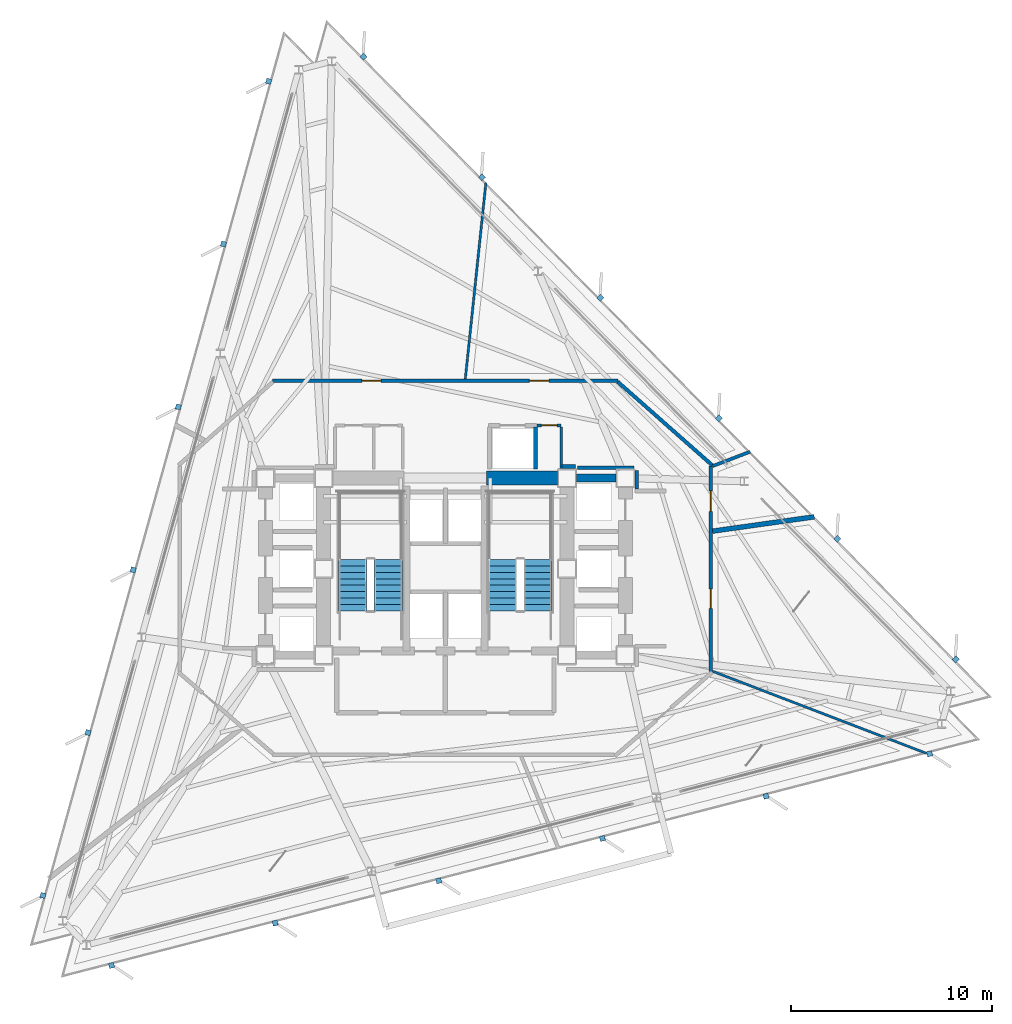
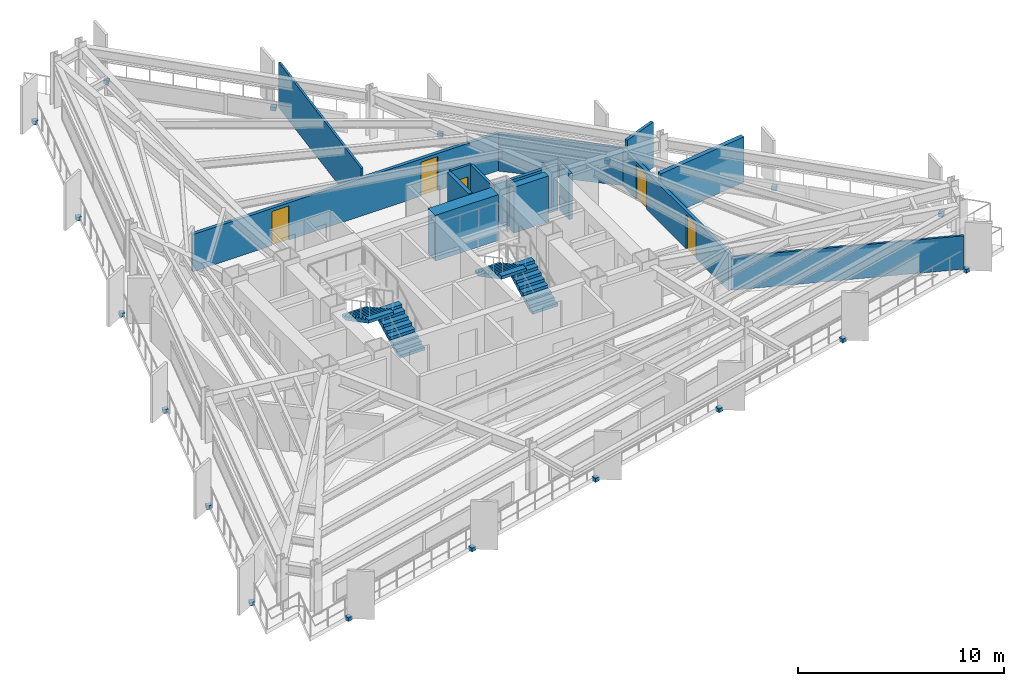
# One storey, part 8 of 11: 18 discrete accessories, 15 walls, 5 doors, 4 stair flights, 5 openings, 2 elements without a shape of their own.
"""IFC4 building model written with IfcOpenShell, lengths in metres."""

from ifc_helpers import new_model, si_unit, direction, frame, frame_2d, origin, origin_2d, place, context, subcontext, project, spatial, polyline, rectangle, outline, extrude, material, layer, layer_set, type_object, element, fill, aggregate, save


model = new_model("IFC4")

# Units and contexts
model_context = context("Model", 3, precision=1e-05, world=origin(), true_north=direction((0.0, 1.0)))
body_context = subcontext(model_context, "Body", "Model", "MODEL_VIEW")
ifc_project = project(units=[si_unit("LENGTHUNIT", "METRE"), si_unit("AREAUNIT", "SQUARE_METRE"), si_unit("VOLUMEUNIT", "CUBIC_METRE"), si_unit("PLANEANGLEUNIT", "RADIAN"), si_unit("MASSUNIT", "GRAM", prefix="KILO")], contexts=[model_context])

# Site, building, storey
site_placement = place(None, origin())
site = spatial("IfcSite", under=ifc_project, at=site_placement, CompositionType="ELEMENT")
building_placement = place(site_placement, origin())
building = spatial("IfcBuilding", under=site, at=building_placement, Name="Rocaltana Carrier Exchange", CompositionType="ELEMENT")
storey_placement = place(building_placement, frame((0.0, 0.0, 97.760009765625)))
storey = spatial("IfcBuildingStorey", under=building, at=storey_placement, Name="L30", CompositionType="ELEMENT", Elevation=97.760009765625)

# Walls
ifc_material_1 = material(Name="Double Acoustic Gypsum Partition", Category="gypsum")
ifc_layer_1 = layer(ifc_material_1, 0.159912109375)
ifc_layer_set_1 = layer_set([ifc_layer_1], Name="Double Acoustic Gypsum Partition")
wall_type_1 = type_object("IfcWallType", Name="Acoustic Studio Partition 160 EI60", PredefinedType="PARTITIONING", material=ifc_layer_set_1)
wall_1_placement = place(storey_placement, frame((13.280029296875, 5.09765625, 0.0), z_axis=(0.0, 0.0, 1.0), x_axis=(0.933586794089, 0.358351360962, 0.0)))
element("IfcWall", 1, at=wall_1_placement, inside=storey, type_object=wall_type_1, Name="L30 Suite Divider Wall D5", PredefinedType="PARTITIONING", context=body_context, shape_type="SweptSolid", body=[
    extrude(rectangle(XDim=2.007080078125, YDim=0.159912109375, at=frame_2d((1.00341796875, 0.0))), origin(), (0.0, 0.0, 1.0), 2.69287109375),
])
ifc_material_2 = material(Name="Concrete C50/60", Category="concrete")
ifc_layer_2 = layer(ifc_material_2, 0.39990234375)
ifc_layer_set_2 = layer_set([ifc_layer_2], Name="Concrete C50/60")
wall_type_2 = type_object("IfcWallType", Name="Core Internal Shear Wall 400", PredefinedType="SHEAR", material=ifc_layer_set_2)
wall_2_placement = place(storey_placement, frame((6.52490234375, 4.5, 0.0), z_axis=(0.0, 0.0, 1.0), x_axis=(1.0, 0.0, 0.0)))
element("IfcWall", 2, at=wall_2_placement, inside=storey, type_object=wall_type_2, Name="L30 Core Shear Wall CW-EWN", PredefinedType="SHEAR", context=body_context, shape_type="SweptSolid", body=[
    extrude(rectangle(XDim=1.9501953125, YDim=0.39990234375, at=frame_2d((0.97509765625, 0.0))), origin(), (0.0, 0.0, 1.0), 2.718017578125),
])
ifc_material_3 = material(Name="Concrete C60/75", Category="concrete")
ifc_layer_3 = layer(ifc_material_3, 0.699951171875)
ifc_layer_set_3 = layer_set([ifc_layer_3], Name="Concrete C60/75")
wall_type_3 = type_object("IfcWallType", Name="Core Shear Wall 700", PredefinedType="SHEAR", material=ifc_layer_set_3)
wall_3_placement = place(storey_placement, frame((2.050048828125, 4.5, 0.0), z_axis=(0.0, 0.0, 1.0), x_axis=(1.0, 0.0, 0.0)))
element("IfcWall", 3, at=wall_3_placement, inside=storey, type_object=wall_type_3, Name="L30 Core Shear Wall CW-N2", PredefinedType="SHEAR", context=body_context, shape_type="SweptSolid", body=[
    extrude(rectangle(XDim=3.52490234375, YDim=0.699951171875, at=frame_2d((1.762451171875, 0.0))), origin(), (0.0, 0.0, 1.0), 2.718017578125),
])

# Wall, openings, doors
ifc_material_4 = material(Name="Gypsum & Steel Stud Partition", Category="steel")
ifc_layer_4 = layer(ifc_material_4, 0.179931640625)
ifc_layer_set_4 = layer_set([ifc_layer_4], Name="Gypsum & Steel Stud Partition")
wall_type_4 = type_object("IfcWallType", Name="Corridor Fire Partition 180 EI60", PredefinedType="PARTITIONING", material=ifc_layer_set_4)
wall_4_placement = place(storey_placement, frame((-8.590087890625, 9.35009765625, 0.0), z_axis=(0.0, 0.0, 1.0), x_axis=(1.0, 0.0, 0.0)))
wall_4 = element("IfcWall", 4, at=wall_4_placement, inside=storey, type_object=wall_type_4, Name="L30 Corridor Partition 1", PredefinedType="PARTITIONING", context=body_context, shape_type="SweptSolid", body=[
    extrude(rectangle(XDim=17.18017578125, YDim=0.179931640625, at=frame_2d((8.590087890625, 0.0))), origin(), (0.0, 0.0, 1.0), 2.20703125),
])
opening_1_placement = place(wall_4_placement, frame((12.7705078125, 0.0, 0.0)))
opening_1 = element("IfcOpeningElement", 5, at=opening_1_placement, cuts=wall_4, Name="Opening D-RM098", PredefinedType="OPENING", context=body_context, shape_type="SweptSolid", body=[
    extrude(rectangle(XDim=0.9599609375, YDim=2.02001953125, at=frame_2d((0.47998046875, 1.010009765625))), frame((0.0, 0.099853515625, 0.0), z_axis=(0.0, -1.0, 0.0), x_axis=(1.0, 0.0, 0.0)), (0.0, 0.0, 1.0), 0.199951171875),
])
opening_2_placement = place(wall_4_placement, frame((4.4404296875, 0.0, 0.0)))
opening_2 = element("IfcOpeningElement", 6, at=opening_2_placement, cuts=wall_4, Name="Opening D-RM098", PredefinedType="OPENING", context=body_context, shape_type="SweptSolid", body=[
    extrude(rectangle(XDim=0.9599609375, YDim=2.02001953125, at=frame_2d((0.47998046875, 1.010009765625))), frame((0.0, 0.099853515625, 0.0), z_axis=(0.0, -1.0, 0.0), x_axis=(1.0, 0.0, 0.0)), (0.0, 0.0, 1.0), 0.199951171875),
])
ifc_material_5 = material(Name="Engineered Hardwood Timber", Category="wood")
door_type_1 = type_object("IfcDoorType", Name="Workspace Single Door 960x2020", OperationType="NOTDEFINED", PredefinedType="DOOR", material=ifc_material_5)
door_1_placement = place(opening_1_placement, origin())
door_1 = element("IfcDoor", 7, at=door_1_placement, inside=storey, type_object=door_type_1, Name="L30 Network Engineering Studio Entrance Door", OperationType="SINGLE_SWING_LEFT", OverallHeight=2.02001953125, OverallWidth=0.9599609375, PredefinedType="DOOR", context=body_context, shape_type="SweptSolid", body=[
    extrude(rectangle(XDim=0.9599609375, YDim=2.02001953125, at=frame_2d((0.47998046875, 1.010009765625))), frame((0.0, 0.02490234375, 0.0), z_axis=(0.0, -1.0, 0.0), x_axis=(1.0, 0.0, 0.0)), (0.0, 0.0, 1.0), 0.050048828125),
])
fill(opening_1, door_1)
door_2_placement = place(opening_2_placement, origin())
door_2 = element("IfcDoor", 8, at=door_2_placement, inside=storey, type_object=door_type_1, Name="L30 Quiet Focus Lounge Entrance Door", OperationType="SINGLE_SWING_RIGHT", OverallHeight=2.02001953125, OverallWidth=0.9599609375, PredefinedType="DOOR", context=body_context, shape_type="SweptSolid", body=[
    extrude(rectangle(XDim=0.9599609375, YDim=2.02001953125, at=frame_2d((0.47998046875, 1.010009765625))), frame((0.0, 0.02490234375, 0.0), z_axis=(0.0, -1.0, 0.0), x_axis=(1.0, 0.0, 0.0)), (0.0, 0.0, 1.0), 0.050048828125),
])
fill(opening_2, door_2)

# Wall
wall_5_placement = place(storey_placement, frame((8.5673828125, 9.290283203125, 0.0), z_axis=(0.0, 0.0, 1.0), x_axis=(0.749626463267, -0.66186113768, 0.0)))
element("IfcWall", 9, at=wall_5_placement, inside=storey, type_object=wall_type_4, Name="L30 Corridor Partition 2", PredefinedType="PARTITIONING", context=body_context, shape_type="SweptSolid", body=[
    extrude(rectangle(XDim=6.27001953125, YDim=0.179931640625, at=frame_2d((3.135009765625, 0.0))), origin(), (0.0, 0.0, 1.0), 2.20703125),
])

# Wall, openings, doors
wall_6_placement = place(storey_placement, frame((13.199951171875, 5.110107421875, 0.0), z_axis=(0.0, 0.0, 1.0), x_axis=(0.0, -1.0, 0.0)))
wall_6 = element("IfcWall", 10, at=wall_6_placement, inside=storey, type_object=wall_type_4, Name="L30 Corridor Partition 3", PredefinedType="PARTITIONING", context=body_context, shape_type="SweptSolid", body=[
    extrude(rectangle(XDim=10.22021484375, YDim=0.179931640625, at=frame_2d((5.110107421875, 0.0))), origin(), (0.0, 0.0, 1.0), 2.20703125),
])
opening_3_placement = place(wall_6_placement, frame((6.121826171875, 0.0, 0.0)))
opening_3 = element("IfcOpeningElement", 11, at=opening_3_placement, cuts=wall_6, Name="Opening D-RM098", PredefinedType="OPENING", context=body_context, shape_type="SweptSolid", body=[
    extrude(rectangle(XDim=0.9599609375, YDim=2.02001953125, at=frame_2d((0.47998046875, 1.010009765625))), frame((0.0, 0.099853515625, 0.0), z_axis=(0.0, -1.0, 0.0), x_axis=(1.0, 0.0, 0.0)), (0.0, 0.0, 1.0), 0.199951171875),
])
opening_4_placement = place(wall_6_placement, frame((1.24169921875, 0.0, 0.0)))
opening_4 = element("IfcOpeningElement", 12, at=opening_4_placement, cuts=wall_6, Name="Opening D-LB104", PredefinedType="OPENING", context=body_context, shape_type="SweptSolid", body=[
    extrude(rectangle(XDim=1.02001953125, YDim=2.02001953125, at=frame_2d((0.510009765625, 1.010009765625))), frame((0.0, 0.099853515625, 0.0), z_axis=(0.0, -1.0, 0.0), x_axis=(1.0, 0.0, 0.0)), (0.0, 0.0, 1.0), 0.199951171875),
])
ifc_material_6 = material(Name="Powder-Coated Aluminium 6063-T6", Category="aluminium")
door_type_2 = type_object("IfcDoorType", Name="Laboratory Acoustic Door 1020x2020", OperationType="NOTDEFINED", PredefinedType="DOOR", material=ifc_material_6)
door_3_placement = place(opening_4_placement, origin())
door_3 = element("IfcDoor", 13, at=door_3_placement, inside=storey, type_object=door_type_2, Name="L30 Protocol Calibration Laboratory Entrance Door", OperationType="SINGLE_SWING_RIGHT", OverallHeight=2.02001953125, OverallWidth=1.02001953125, PredefinedType="DOOR", context=body_context, shape_type="SweptSolid", body=[
    extrude(rectangle(XDim=1.02001953125, YDim=2.02001953125, at=frame_2d((0.510009765625, 1.010009765625))), frame((0.0, 0.02490234375, 0.0), z_axis=(0.0, -1.0, 0.0), x_axis=(1.0, 0.0, 0.0)), (0.0, 0.0, 1.0), 0.050048828125),
])
fill(opening_4, door_3)
door_4_placement = place(opening_3_placement, origin())
door_4 = element("IfcDoor", 14, at=door_4_placement, inside=storey, type_object=door_type_1, Name="L30 Peering Conference Room Entrance Door", OperationType="SINGLE_SWING_LEFT", OverallHeight=2.02001953125, OverallWidth=0.9599609375, PredefinedType="DOOR", context=body_context, shape_type="SweptSolid", body=[
    extrude(rectangle(XDim=0.9599609375, YDim=2.02001953125, at=frame_2d((0.47998046875, 1.010009765625))), frame((0.0, 0.02490234375, 0.0), z_axis=(0.0, -1.0, 0.0), x_axis=(1.0, 0.0, 0.0)), (0.0, 0.0, 1.0), 0.050048828125),
])
fill(opening_3, door_4)

# Walls
wall_7_placement = place(storey_placement, frame((9.510009765625, 3.949951171875, 0.0), z_axis=(0.0, 0.0, 1.0), x_axis=(0.0, 1.0, 0.0)))
element("IfcWall", 15, at=wall_7_placement, inside=storey, type_object=wall_type_4, Name="L30 Corridor Partition 20", PredefinedType="PARTITIONING", context=body_context, shape_type="SweptSolid", body=[
    extrude(rectangle(XDim=0.920166015625, YDim=0.179931640625, at=frame_2d((0.4599609375, 0.0))), origin(), (0.0, 0.0, 1.0), 2.69287109375),
])
wall_8_placement = place(storey_placement, frame((9.3701171875, 5.010009765625, 0.0), z_axis=(0.0, 0.0, 1.0), x_axis=(-1.0, 0.0, 0.0)))
element("IfcWall", 16, at=wall_8_placement, inside=storey, type_object=wall_type_4, Name="L30 Corridor Partition 21", PredefinedType="PARTITIONING", context=body_context, shape_type="SweptSolid", body=[
    extrude(rectangle(XDim=2.807861328125, YDim=0.179931640625, at=frame_2d((1.40380859375, 0.0))), origin(), (0.0, 0.0, 1.0), 2.69287109375),
])
wall_9_placement = place(storey_placement, frame((6.469970703125, 5.080078125, 0.0), z_axis=(0.0, 0.0, 1.0), x_axis=(-1.0, 0.0, 0.0)))
element("IfcWall", 17, at=wall_9_placement, inside=storey, type_object=wall_type_4, Name="L30 Corridor Partition 22", PredefinedType="PARTITIONING", context=body_context, shape_type="SweptSolid", body=[
    extrude(rectangle(XDim=0.679931640625, YDim=0.179931640625, at=frame_2d((0.33984375, 0.0))), origin(), (0.0, 0.0, 1.0), 2.69287109375),
])
ifc_material_7 = material(Name="Aluminium 6063-T6 & Acoustic Glass", Category="aluminium")
ifc_layer_5 = layer(ifc_material_7, 0.114990234375)
ifc_layer_set_5 = layer_set([ifc_layer_5], Name="Aluminium 6063-T6 & Acoustic Glass")
wall_type_5 = type_object("IfcWallType", Name="Demountable Glazed Lab Partition 115", PredefinedType="MOVABLE", material=ifc_layer_set_5)
wall_10_placement = place(storey_placement, frame((13.280029296875, -5.09765625, 0.0), z_axis=(0.0, 0.0, 1.0), x_axis=(0.933579254187, -0.358371003504, 0.0)))
element("IfcWall", 18, at=wall_10_placement, inside=storey, type_object=wall_type_5, Name="L30 Suite Divider Wall D3", PredefinedType="MOVABLE", context=body_context, shape_type="SweptSolid", body=[
    extrude(rectangle(XDim=11.408935546875, YDim=0.114990234375, at=frame_2d((5.70458984375, 0.0))), origin(), (0.0, 0.0, 1.0), 1.97802734375),
])
wall_11_placement = place(storey_placement, frame((0.9912109375, 9.429931640625, 0.0), z_axis=(0.0, 0.0, 1.0), x_axis=(0.10452931889, 0.994521805438, 0.0)))
element("IfcWall", 19, at=wall_11_placement, inside=storey, type_object=wall_type_5, Name="L30 Suite Divider Wall D6", PredefinedType="MOVABLE", context=body_context, shape_type="SweptSolid", body=[
    extrude(rectangle(XDim=9.8095703125, YDim=0.114990234375, at=frame_2d((4.90478515625, 0.0))), origin(), (0.0, 0.0, 1.0), 2.69287109375),
])
ifc_material_8 = material(Name="Acoustic Calcium Silicate Partition", Category="gypsum")
ifc_layer_6 = layer(ifc_material_8, 0.239990234375)
ifc_layer_set_6 = layer_set([ifc_layer_6], Name="Acoustic Calcium Silicate Partition")
wall_type_6 = type_object("IfcWallType", Name="Heavy Lab Partition 240 EI90", PredefinedType="PARTITIONING", material=ifc_layer_set_6)
wall_12_placement = place(storey_placement, frame((13.280029296875, 1.866455078125, 0.0), z_axis=(0.0, 0.0, 1.0), x_axis=(0.990270993163, 0.139152291036, 0.0)))
element("IfcWall", 20, at=wall_12_placement, inside=storey, type_object=wall_type_6, Name="L30 Suite Divider Wall D4", PredefinedType="PARTITIONING", context=body_context, shape_type="SweptSolid", body=[
    extrude(rectangle(XDim=5.107421875, YDim=0.239990234375, at=frame_2d((2.5537109375, 0.0))), origin(), (0.0, 0.0, 1.0), 2.69287109375),
])
ifc_material_9 = material(Name="Reinforced Concrete Block C35/45", Category="concrete")
ifc_layer_7 = layer(ifc_material_9, 0.199951171875)
ifc_layer_set_7 = layer_set([ifc_layer_7], Name="Reinforced Concrete Block C35/45")
wall_type_7 = type_object("IfcWallType", Name="Lift Hoistway Enclosure Wall 200 EI120", PredefinedType="PARTITIONING", material=ifc_layer_set_7)
wall_13_placement = place(storey_placement, frame((4.47998046875, 4.949951171875, 0.0), z_axis=(0.0, 0.0, 1.0), x_axis=(0.0, 1.0, 0.0)))
element("IfcWall", 21, at=wall_13_placement, inside=storey, type_object=wall_type_7, Name="L30 Goods Lift East Wall", PredefinedType="PARTITIONING", context=body_context, shape_type="SweptSolid", body=[
    extrude(rectangle(XDim=2.10009765625, YDim=0.199951171875, at=frame_2d((1.050048828125, 0.0))), origin(), (0.0, 0.0, 1.0), 2.69287109375),
])
ifc_material_10 = material(Name="Moisture-Resistant Masonry C30/37", Category="masonry")
ifc_layer_8 = layer(ifc_material_10, 0.139892578125)
ifc_layer_set_8 = layer_set([ifc_layer_8], Name="Moisture-Resistant Masonry C30/37")
wall_type_8 = type_object("IfcWallType", Name="Wet-Area Sanitary Partition 140", PredefinedType="PARTITIONING", material=ifc_layer_set_8)
wall_14_placement = place(storey_placement, frame((5.760009765625, 4.949951171875, 0.0), z_axis=(0.0, 0.0, 1.0), x_axis=(0.0, 1.0, 0.0)))
element("IfcWall", 22, at=wall_14_placement, inside=storey, type_object=wall_type_8, Name="L30 Riser East Wall", PredefinedType="PARTITIONING", context=body_context, shape_type="SweptSolid", body=[
    extrude(rectangle(XDim=2.10009765625, YDim=0.139892578125, at=frame_2d((1.050048828125, 0.0))), origin(), (0.0, 0.0, 1.0), 2.69287109375),
])

# Wall, opening, door
wall_15_placement = place(storey_placement, frame((4.56005859375, 7.1201171875, 0.0), z_axis=(0.0, 0.0, 1.0), x_axis=(1.0, 0.0, 0.0)))
wall_15 = element("IfcWall", 23, at=wall_15_placement, inside=storey, type_object=wall_type_8, Name="L30 Riser North Wall", PredefinedType="PARTITIONING", context=body_context, shape_type="SweptSolid", body=[
    extrude(rectangle(XDim=1.199951171875, YDim=0.139892578125, at=frame_2d((0.60009765625, 0.0))), origin(), (0.0, 0.0, 1.0), 2.69287109375),
])
opening_5_placement = place(wall_15_placement, frame((0.2099609375, 0.0, 0.0)))
opening_5 = element("IfcOpeningElement", 24, at=opening_5_placement, cuts=wall_15, Name="Opening D-RS082", PredefinedType="OPENING", context=body_context, shape_type="SweptSolid", body=[
    extrude(rectangle(XDim=0.780029296875, YDim=2.010009765625, at=frame_2d((0.39013671875, 1.0048828125))), frame((0.0, 0.079833984375, 0.0), z_axis=(0.0, -1.0, 0.0), x_axis=(1.0, 0.0, 0.0)), (0.0, 0.0, 1.0), 0.159912109375),
])
ifc_material_11 = material(Name="Hollow Metal Access Door Leaf", Category="steel")
door_type_3 = type_object("IfcDoorType", Name="Riser & Service Closet Door 780x2010", OperationType="NOTDEFINED", PredefinedType="DOOR", material=ifc_material_11)
door_5_placement = place(opening_5_placement, origin())
door_5 = element("IfcDoor", 25, at=door_5_placement, inside=storey, type_object=door_type_3, Name="L30 Fibre Riser Closet Door", OperationType="SINGLE_SWING_LEFT", OverallHeight=2.010009765625, OverallWidth=0.780029296875, PredefinedType="DOOR", context=body_context, shape_type="SweptSolid", body=[
    extrude(rectangle(XDim=0.780029296875, YDim=2.010009765625, at=frame_2d((0.39013671875, 1.0048828125))), frame((0.0, 0.02490234375, 0.0), z_axis=(0.0, -1.0, 0.0), x_axis=(1.0, 0.0, 0.0)), (0.0, 0.0, 1.0), 0.050048828125),
])
fill(opening_5, door_5)

# Stair, stair flights
ifc_material_12 = material(Name="Precast concrete C45/55", Category="concrete")
stair_type = type_object("IfcStairType", Name="Standard Dog-Leg Stair 160", PredefinedType="HALF_TURN_STAIR", material=ifc_material_12)
stair_1_placement = place(storey_placement, origin())
stair_1 = element("IfcStair", 26, at=stair_1_placement, inside=storey, type_object=stair_type, Name="L30 Core West Exit Stair ST-1", PredefinedType="HALF_TURN_STAIR")
ifc_material_13 = material(Name="Precast concrete C45/55", Category="concrete")
stair_flight_type = type_object("IfcStairFlightType", Name="Precast Stair Flight 160", PredefinedType="STRAIGHT", material=ifc_material_13)
stair_flight_1_placement = place(storey_placement, frame((-2.840087890625, -2.10009765625, 0.0), z_axis=(0.0, 0.0, 1.0), x_axis=(0.0, 1.0, 0.0)))
stair_flight_1 = element("IfcStairFlight", 27, at=stair_flight_1_placement, type_object=stair_flight_type, Name="ST-1 flight 1", NumberOfRisers=9, NumberOfTreads=8, PredefinedType="STRAIGHT", RiserHeight=0.168888889, TreadLength=0.32, context=body_context, shape_type="SweptSolid", body=[
    extrude(outline(polyline([(0.0, 0.0), (0.0, 0.1689453125), (0.320068359375, 0.1689453125), (0.320068359375, 0.337890625), (0.639892578125, 0.337890625), (0.639892578125, 0.506591796875), (0.9599609375, 0.506591796875), (0.9599609375, 0.675537109375), (1.280029296875, 0.675537109375), (1.280029296875, 0.844482421875), (1.60009765625, 0.844482421875), (1.60009765625, 1.013427734375), (1.919921875, 1.013427734375), (1.919921875, 1.18212890625), (2.239990234375, 1.18212890625), (2.239990234375, 1.35107421875), (2.56005859375, 1.35107421875), (2.56005859375, 1.52001953125), (2.56005859375, 1.17041015625), (0.342529296875, 0.0), (0.0, 0.0)])), frame((0.0, 0.699951171875, 0.0), z_axis=(0.0, -1.0, 0.0), x_axis=(1.0, 0.0, 0.0)), (0.0, 0.0, 1.0), 1.39990234375),
])
stair_flight_2_placement = place(storey_placement, frame((-4.60009765625, 0.4599609375, 1.52001953125), z_axis=(0.0, 0.0, 1.0), x_axis=(0.0, -1.0, 0.0)))
stair_flight_2 = element("IfcStairFlight", 28, at=stair_flight_2_placement, type_object=stair_flight_type, Name="ST-1 flight 2", NumberOfRisers=9, NumberOfTreads=8, PredefinedType="STRAIGHT", RiserHeight=0.168888889, TreadLength=0.32, context=body_context, shape_type="SweptSolid", body=[
    extrude(outline(polyline([(0.0, 0.0), (0.0, 0.1689453125), (0.320068359375, 0.1689453125), (0.320068359375, 0.337890625), (0.639892578125, 0.337890625), (0.639892578125, 0.506591796875), (0.9599609375, 0.506591796875), (0.9599609375, 0.675537109375), (1.280029296875, 0.675537109375), (1.280029296875, 0.844482421875), (1.60009765625, 0.844482421875), (1.60009765625, 1.013427734375), (1.919921875, 1.013427734375), (1.919921875, 1.18212890625), (2.239990234375, 1.18212890625), (2.239990234375, 1.35107421875), (2.56005859375, 1.35107421875), (2.56005859375, 1.52001953125), (2.56005859375, 1.17041015625), (0.342529296875, 0.0), (0.0, 0.0)])), frame((0.0, 0.699951171875, 0.0), z_axis=(0.0, -1.0, 0.0), x_axis=(1.0, 0.0, 0.0)), (0.0, 0.0, 1.0), 1.39990234375),
])
aggregate(stair_1, [stair_flight_1, stair_flight_2])

stair_2_placement = place(storey_placement, origin())
stair_2 = element("IfcStair", 29, at=stair_2_placement, inside=storey, type_object=stair_type, Name="L30 Core East Exit Stair ST-2", PredefinedType="HALF_TURN_STAIR")
stair_flight_3_placement = place(storey_placement, frame((4.60009765625, -2.10009765625, 0.0), z_axis=(0.0, 0.0, 1.0), x_axis=(0.0, 1.0, 0.0)))
stair_flight_3 = element("IfcStairFlight", 30, at=stair_flight_3_placement, type_object=stair_flight_type, Name="ST-2 flight 1", NumberOfRisers=9, NumberOfTreads=8, PredefinedType="STRAIGHT", RiserHeight=0.168888889, TreadLength=0.32, context=body_context, shape_type="SweptSolid", body=[
    extrude(outline(polyline([(0.0, 0.0), (0.0, 0.1689453125), (0.320068359375, 0.1689453125), (0.320068359375, 0.337890625), (0.639892578125, 0.337890625), (0.639892578125, 0.506591796875), (0.9599609375, 0.506591796875), (0.9599609375, 0.675537109375), (1.280029296875, 0.675537109375), (1.280029296875, 0.844482421875), (1.60009765625, 0.844482421875), (1.60009765625, 1.013427734375), (1.919921875, 1.013427734375), (1.919921875, 1.18212890625), (2.239990234375, 1.18212890625), (2.239990234375, 1.35107421875), (2.56005859375, 1.35107421875), (2.56005859375, 1.52001953125), (2.56005859375, 1.17041015625), (0.342529296875, 0.0), (0.0, 0.0)])), frame((0.0, 0.699951171875, 0.0), z_axis=(0.0, -1.0, 0.0), x_axis=(1.0, 0.0, 0.0)), (0.0, 0.0, 1.0), 1.39990234375),
])
stair_flight_4_placement = place(storey_placement, frame((2.840087890625, 0.4599609375, 1.52001953125), z_axis=(0.0, 0.0, 1.0), x_axis=(0.0, -1.0, 0.0)))
stair_flight_4 = element("IfcStairFlight", 31, at=stair_flight_4_placement, type_object=stair_flight_type, Name="ST-2 flight 2", NumberOfRisers=9, NumberOfTreads=8, PredefinedType="STRAIGHT", RiserHeight=0.168888889, TreadLength=0.32, context=body_context, shape_type="SweptSolid", body=[
    extrude(outline(polyline([(0.0, 0.0), (0.0, 0.1689453125), (0.320068359375, 0.1689453125), (0.320068359375, 0.337890625), (0.639892578125, 0.337890625), (0.639892578125, 0.506591796875), (0.9599609375, 0.506591796875), (0.9599609375, 0.675537109375), (1.280029296875, 0.675537109375), (1.280029296875, 0.844482421875), (1.60009765625, 0.844482421875), (1.60009765625, 1.013427734375), (1.919921875, 1.013427734375), (1.919921875, 1.18212890625), (2.239990234375, 1.18212890625), (2.239990234375, 1.35107421875), (2.56005859375, 1.35107421875), (2.56005859375, 1.52001953125), (2.56005859375, 1.17041015625), (0.342529296875, 0.0), (0.0, 0.0)])), frame((0.0, 0.699951171875, 0.0), z_axis=(0.0, -1.0, 0.0), x_axis=(1.0, 0.0, 0.0)), (0.0, 0.0, 1.0), 1.39990234375),
])
aggregate(stair_2, [stair_flight_3, stair_flight_4])

# Discrete accessories
ifc_material_14 = material(Name="Brushed Architectural Stainless Metal", Category="steel")
ifc_layer_9 = layer(ifc_material_14, 0.219970703125)
ifc_layer_set_9 = layer_set([ifc_layer_9], Name="Brushed Architectural Stainless Metal")
discrete_accessory_type = type_object("IfcDiscreteAccessoryType", Name="Stainless Fin Slab-Edge Bracket 260x260x220", PredefinedType="BRACKET", material=ifc_layer_set_9)
for number, where, z_axis, x_axis, name in (
    (32, (25.371826171875, -4.509765625, -0.2099609375), (0.0, 0.0, 1.0), (-0.7009092643, 0.713250449154, 0.0), "L30 Sandstone Fin Edge Bracket F1-01"),
    (33, (19.484375, 1.481689453125, -0.2099609375), (0.0, 0.0, 1.0), (-0.7009092643, 0.713250449154, 0.0), "L30 Sandstone Fin Edge Bracket F1-02"),
    (34, (13.5966796875, 7.472900390625, -0.2099609375), (0.0, 0.0, 1.0), (-0.7009092643, 0.713250449154, 0.0), "L30 Sandstone Fin Edge Bracket F1-03"),
    (35, (7.708984375, 13.464111328125, -0.2099609375), (0.0, 0.0, 1.0), (-0.7009092643, 0.713250449154, 0.0), "L30 Sandstone Fin Edge Bracket F1-04"),
    (36, (1.8212890625, 19.45556640625, -0.2099609375), (0.0, 0.0, 1.0), (-0.7009092643, 0.713250449154, 0.0), "L30 Sandstone Fin Edge Bracket F1-05"),
    (37, (-4.066162109375, 25.44677734375, -0.2099609375), (0.0, 0.0, 1.0), (-0.7009092643, 0.713250449154, 0.0), "L30 Sandstone Fin Edge Bracket F1-06"),
    (38, (-8.780517578125, 24.2275390625, -0.2099609375), (0.0, 0.0, 1.0), (-0.267238376078, -0.963630453209, 0.0), "L30 Sandstone Fin Edge Bracket F2-01"),
    (39, (-11.025146484375, 16.133056640625, -0.2099609375), (0.0, 0.0, 1.0), (-0.267238376078, -0.963630453209, 0.0), "L30 Sandstone Fin Edge Bracket F2-02"),
    (40, (-13.27001953125, 8.03857421875, -0.2099609375), (0.0, 0.0, 1.0), (-0.267238376078, -0.963630453209, 0.0), "L30 Sandstone Fin Edge Bracket F2-03"),
    (41, (-15.514892578125, -0.055908203125, -0.2099609375), (0.0, 0.0, 1.0), (-0.267238376078, -0.963630453209, 0.0), "L30 Sandstone Fin Edge Bracket F2-04"),
    (42, (-17.759521484375, -8.150390625, -0.2099609375), (0.0, 0.0, 1.0), (-0.267238376078, -0.963630453209, 0.0), "L30 Sandstone Fin Edge Bracket F2-05"),
    (43, (-20.00439453125, -16.244873046875, -0.2099609375), (0.0, 0.0, 1.0), (-0.267238376078, -0.963630453209, 0.0), "L30 Sandstone Fin Edge Bracket F2-06"),
    (44, (-16.591552734375, -19.718017578125, -0.2099609375), (0.0, 0.0, 1.0), (0.968147640378, 0.250380004054, 0.0), "L30 Sandstone Fin Edge Bracket F3-01"),
    (45, (-8.458984375, -17.61474609375, -0.2099609375), (0.0, 0.0, 1.0), (0.968147640378, 0.250380004054, 0.0), "L30 Sandstone Fin Edge Bracket F3-02"),
    (46, (-0.32666015625, -15.511474609375, -0.2099609375), (0.0, 0.0, 1.0), (0.968147640378, 0.250380004054, 0.0), "L30 Sandstone Fin Edge Bracket F3-03"),
    (47, (7.805908203125, -13.408203125, -0.2099609375), (0.0, 0.0, 1.0), (0.968147640378, 0.250380004054, 0.0), "L30 Sandstone Fin Edge Bracket F3-04"),
    (48, (15.938232421875, -11.30517578125, -0.2099609375), (0.0, 0.0, 1.0), (0.968147640378, 0.250380004054, 0.0), "L30 Sandstone Fin Edge Bracket F3-05"),
    (49, (24.07080078125, -9.201904296875, -0.2099609375), (0.0, 0.0, 1.0), (0.968147640378, 0.250380004054, 0.0), "L30 Sandstone Fin Edge Bracket F3-06"),
):
    element("IfcDiscreteAccessory", number, at=place(storey_placement, frame(where, z_axis=z_axis, x_axis=x_axis)), inside=storey, type_object=discrete_accessory_type, Name=name, PredefinedType="BRACKET", context=body_context, shape_type="SweptSolid", body=[
        extrude(rectangle(XDim=0.260009765625, YDim=0.260009765625, at=origin_2d()), origin(), (0.0, 0.0, 1.0), 0.219970703125),
    ])

save(model, "model.ifc")
